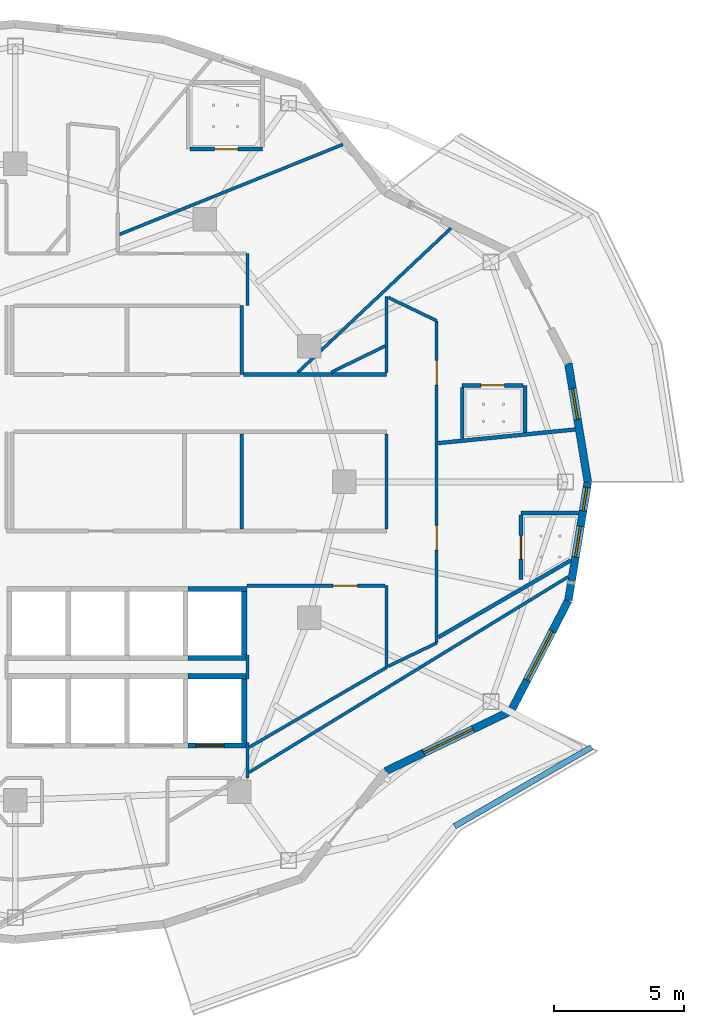
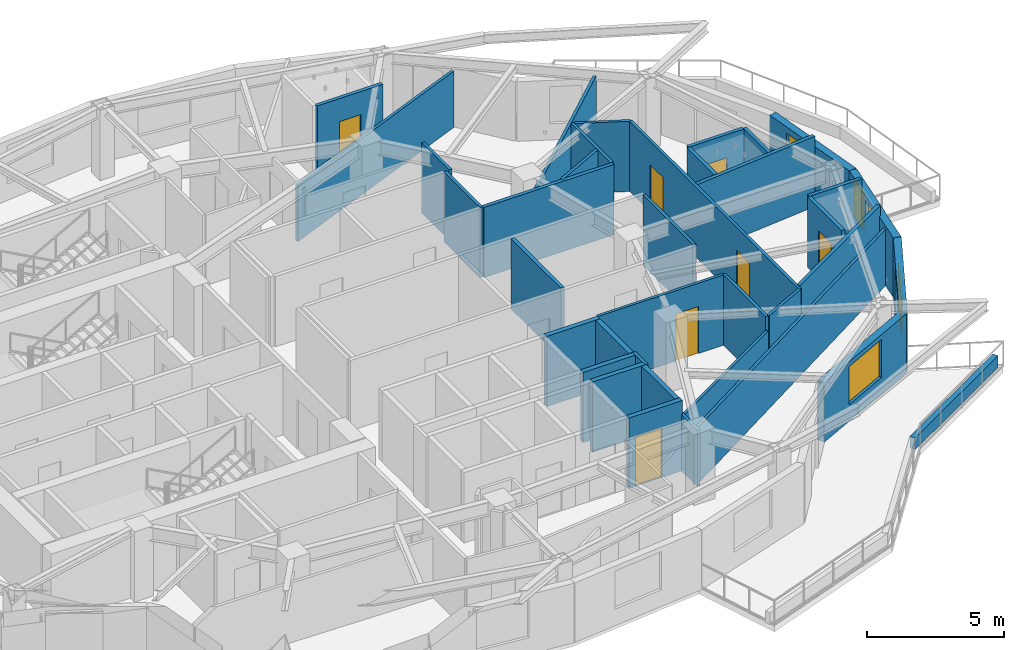
# One storey, part 6 of 10: 37 walls, 7 doors, 5 windows, 12 openings.
"""IFC4 building model written with IfcOpenShell, lengths in metres."""

from ifc_helpers import new_model, si_unit, direction, frame, frame_2d, origin, place, context, subcontext, project, spatial, rectangle, extrude, material, layer, layer_set, type_object, element, fill, save


model = new_model("IFC4")

# Units and contexts
model_context = context("Model", 3, precision=1e-05, world=origin(), true_north=direction((0.0, 1.0)))
body_context = subcontext(model_context, "Body", "Model", "MODEL_VIEW")
ifc_project = project(units=[si_unit("LENGTHUNIT", "METRE"), si_unit("AREAUNIT", "SQUARE_METRE"), si_unit("VOLUMEUNIT", "CUBIC_METRE"), si_unit("PLANEANGLEUNIT", "RADIAN"), si_unit("MASSUNIT", "GRAM", prefix="KILO")], contexts=[model_context])

# Site, building, storey
site_placement = place(None, origin())
site = spatial("IfcSite", under=ifc_project, at=site_placement, CompositionType="ELEMENT")
building_placement = place(site_placement, origin())
building = spatial("IfcBuilding", under=site, at=building_placement, Name="Kolvaren Gate Tower and Convention Centre", CompositionType="ELEMENT")
storey_placement = place(building_placement, frame((0.0, 0.0, 146.10009765625)))
storey = spatial("IfcBuildingStorey", under=building, at=storey_placement, Name="L37", CompositionType="ELEMENT", Elevation=146.10009765625)

# Walls
ifc_material_1 = material(Name="Fire-Rated Acoustic Gypsum Stud Partition", Category="gypsum")
ifc_layer_1 = layer(ifc_material_1, 0.1201171875)
ifc_layer_set_1 = layer_set([ifc_layer_1], Name="Fire-Rated Acoustic Gypsum Stud Partition")
wall_type_1 = type_object("IfcWallType", Name="ARCH-WL-PART-120", PredefinedType="PARTITIONING", material=ifc_layer_set_1)
wall_1_placement = place(storey_placement, frame((38.800048828125, 31.1201171875, 0.0), z_axis=(0.0, 0.0, 1.0), x_axis=(0.0, 1.0, 0.0)))
element("IfcWall", 1, at=wall_1_placement, inside=storey, type_object=wall_type_1, Name="Interior Partition WL-L37-INT-018", PredefinedType="PARTITIONING", context=body_context, shape_type="SweptSolid", body=[
    extrude(rectangle(XDim=2.6298828125, YDim=0.1201171875, at=frame_2d((1.31494140625, 0.0))), origin(), (0.0, 0.0, 1.0), 3.1298828125),
])
wall_2_placement = place(storey_placement, frame((39.02001953125, 15.64990234375, 0.0), z_axis=(0.0, 0.0, 1.0), x_axis=(0.0, 1.0, 0.0)))
element("IfcWall", 2, at=wall_2_placement, inside=storey, type_object=wall_type_1, Name="Interior Partition WL-L37-INT-022", PredefinedType="PARTITIONING", context=body_context, shape_type="SweptSolid", body=[
    extrude(rectangle(XDim=1.360107421875, YDim=0.1201171875, at=frame_2d((0.68017578125, 0.0))), origin(), (0.0, 0.0, 1.0), 2.5048828125),
])
wall_3_placement = place(storey_placement, frame((39.02001953125, 19.43994140625, 0.0), z_axis=(0.0, 0.0, 1.0), x_axis=(0.0, 1.0, 0.0)))
element("IfcWall", 3, at=wall_3_placement, inside=storey, type_object=wall_type_1, Name="Interior Partition WL-L37-INT-022 (2)", PredefinedType="PARTITIONING", context=body_context, shape_type="SweptSolid", body=[
    extrude(rectangle(XDim=0.920166015625, YDim=0.1201171875, at=frame_2d((0.4599609375, 0.0))), origin(), (0.0, 0.0, 1.0), 3.1298828125),
])
wall_4_placement = place(storey_placement, frame((39.02001953125, 33.75, 0.0), z_axis=(0.0, 0.0, 1.0), x_axis=(0.0, 1.0, 0.0)))
element("IfcWall", 4, at=wall_4_placement, inside=storey, type_object=wall_type_1, Name="Interior Partition WL-L37-INT-023", PredefinedType="PARTITIONING", context=body_context, shape_type="SweptSolid", body=[
    extrude(rectangle(XDim=2.0, YDim=0.1201171875, at=frame_2d((1.0, 0.0))), origin(), (0.0, 0.0, 1.0), 3.1298828125),
])
wall_5_placement = place(storey_placement, frame((44.35009765625, 19.89111328125, 0.0), z_axis=(0.0, 0.0, 1.0), x_axis=(0.0, 1.0, 0.0)))
element("IfcWall", 5, at=wall_5_placement, inside=storey, type_object=wall_type_1, Name="Interior Partition WL-L37-INT-040", PredefinedType="PARTITIONING", context=body_context, shape_type="SweptSolid", body=[
    extrude(rectangle(XDim=3.12890625, YDim=0.1201171875, at=frame_2d((1.564453125, 0.0))), origin(), (0.0, 0.0, 1.0), 3.1298828125),
])
wall_6_placement = place(storey_placement, frame((44.35009765625, 25.197021484375, 0.0), z_axis=(0.0, 0.0, 1.0), x_axis=(0.0, 1.0, 0.0)))
element("IfcWall", 6, at=wall_6_placement, inside=storey, type_object=wall_type_1, Name="Interior Partition WL-L37-INT-041", PredefinedType="PARTITIONING", context=body_context, shape_type="SweptSolid", body=[
    extrude(rectangle(XDim=3.64599609375, YDim=0.1201171875, at=frame_2d((1.822998046875, 0.0))), origin(), (0.0, 0.0, 1.0), 3.1298828125),
])
wall_7_placement = place(storey_placement, frame((44.35009765625, 31.197021484375, 0.0), z_axis=(0.0, 0.0, 1.0), x_axis=(0.0, 1.0, 0.0)))
element("IfcWall", 7, at=wall_7_placement, inside=storey, type_object=wall_type_1, Name="Interior Partition WL-L37-INT-042", PredefinedType="PARTITIONING", context=body_context, shape_type="SweptSolid", body=[
    extrude(rectangle(XDim=2.89990234375, YDim=0.1201171875, at=frame_2d((1.449951171875, 0.0))), origin(), (0.0, 0.0, 1.0), 3.1298828125),
])
wall_8_placement = place(storey_placement, frame((44.412109375, 34.067138671875, 0.0), z_axis=(0.0, 0.0, 1.0), x_axis=(0.90128266231, -0.433231534656, 0.0)))
element("IfcWall", 8, at=wall_8_placement, inside=storey, type_object=wall_type_1, Name="Interior Partition WL-L37-INT-043", PredefinedType="PARTITIONING", context=body_context, shape_type="SweptSolid", body=[
    extrude(rectangle(XDim=2.0615234375, YDim=0.1201171875, at=frame_2d((1.03076171875, 0.0))), origin(), (0.0, 0.0, 1.0), 3.1298828125),
])

# Wall, openings, doors
wall_9_placement = place(storey_placement, frame((46.27001953125, 20.825927734375, 0.0), z_axis=(0.0, 0.0, 1.0), x_axis=(0.0, 1.0, 0.0)))
wall_9 = element("IfcWall", 9, at=wall_9_placement, inside=storey, type_object=wall_type_1, Name="Interior Partition WL-L37-INT-044", PredefinedType="PARTITIONING", context=body_context, shape_type="SweptSolid", body=[
    extrude(rectangle(XDim=12.34814453125, YDim=0.1201171875, at=frame_2d((6.174072265625, 0.0))), origin(), (0.0, 0.0, 1.0), 3.1298828125),
])
opening_1_placement = place(wall_9_placement, frame((3.5556640625, 0.0, 0.0)))
opening_1 = element("IfcOpeningElement", 10, at=opening_1_placement, cuts=wall_9, Name="Opening DR-01", PredefinedType="OPENING", context=body_context, shape_type="SweptSolid", body=[
    extrude(rectangle(XDim=0.949951171875, YDim=2.10009765625, at=frame_2d((0.47509765625, 1.050048828125))), frame((0.0, 0.070068359375, 0.0), z_axis=(0.0, -1.0, 0.0), x_axis=(1.0, 0.0, 0.0)), (0.0, 0.0, 1.0), 0.14013671875),
])
opening_2_placement = place(wall_9_placement, frame((9.87841796875, 0.0, 0.0)))
opening_2 = element("IfcOpeningElement", 11, at=opening_2_placement, cuts=wall_9, Name="Opening DR-01", PredefinedType="OPENING", context=body_context, shape_type="SweptSolid", body=[
    extrude(rectangle(XDim=0.949951171875, YDim=2.10009765625, at=frame_2d((0.47509765625, 1.050048828125))), frame((0.0, 0.070068359375, 0.0), z_axis=(0.0, -1.0, 0.0), x_axis=(1.0, 0.0, 0.0)), (0.0, 0.0, 1.0), 0.14013671875),
])
ifc_material_2 = material(Name="Painted Architectural Steelwork ASTM A500 Grade C 345 MPa", Category="steel")
door_type_1 = type_object("IfcDoorType", Name="ARCH-DR-RISER-950", OperationType="SINGLE_SWING_RIGHT", PredefinedType="DOOR", material=ifc_material_2)
door_1_placement = place(opening_1_placement, origin())
door_1 = element("IfcDoor", 12, at=door_1_placement, inside=storey, type_object=door_type_1, Name="Deluxe Hotel Suite (HTL-L37-05) Door", OperationType="SINGLE_SWING_LEFT", OverallHeight=2.10009765625, OverallWidth=0.949951171875, PredefinedType="DOOR", context=body_context, shape_type="SweptSolid", body=[
    extrude(rectangle(XDim=0.949951171875, YDim=2.10009765625, at=frame_2d((0.47509765625, 1.050048828125))), frame((0.0, 0.02490234375, 0.0), z_axis=(0.0, -1.0, 0.0), x_axis=(1.0, 0.0, 0.0)), (0.0, 0.0, 1.0), 0.050048828125),
])
fill(opening_1, door_1)
door_2_placement = place(opening_2_placement, origin())
door_2 = element("IfcDoor", 13, at=door_2_placement, inside=storey, type_object=door_type_1, Name="Deluxe Hotel Suite (HTL-L37-07) Door", OperationType="SINGLE_SWING_LEFT", OverallHeight=2.10009765625, OverallWidth=0.949951171875, PredefinedType="DOOR", context=body_context, shape_type="SweptSolid", body=[
    extrude(rectangle(XDim=0.949951171875, YDim=2.10009765625, at=frame_2d((0.47509765625, 1.050048828125))), frame((0.0, 0.02490234375, 0.0), z_axis=(0.0, -1.0, 0.0), x_axis=(1.0, 0.0, 0.0)), (0.0, 0.0, 1.0), 0.050048828125),
])
fill(opening_2, door_2)

# Wall
wall_10_placement = place(storey_placement, frame((44.412109375, 19.932861328125, 0.0), z_axis=(0.0, 0.0, 1.0), x_axis=(0.90128266231, 0.433231534656, 0.0)))
element("IfcWall", 14, at=wall_10_placement, inside=storey, type_object=wall_type_1, Name="Interior Partition WL-L37-INT-045", PredefinedType="PARTITIONING", context=body_context, shape_type="SweptSolid", body=[
    extrude(rectangle(XDim=2.0615234375, YDim=0.1201171875, at=frame_2d((1.03076171875, 0.0))), origin(), (0.0, 0.0, 1.0), 3.1298828125),
])

# Wall, opening, door
wall_11_placement = place(storey_placement, frame((39.0, 23.02001953125, 0.0), z_axis=(0.0, 0.0, 1.0), x_axis=(1.0, 0.0, 0.0)))
wall_11 = element("IfcWall", 15, at=wall_11_placement, inside=storey, type_object=wall_type_1, Name="Interior Partition WL-L37-INT-046", PredefinedType="PARTITIONING", context=body_context, shape_type="SweptSolid", body=[
    extrude(rectangle(XDim=5.2880859375, YDim=0.1201171875, at=frame_2d((2.64404296875, 0.0))), origin(), (0.0, 0.0, 1.0), 3.1298828125),
])
opening_3_placement = place(wall_11_placement, frame((3.2890625, 0.0, 0.0)))
opening_3 = element("IfcOpeningElement", 16, at=opening_3_placement, cuts=wall_11, Name="Opening DR-01", PredefinedType="OPENING", context=body_context, shape_type="SweptSolid", body=[
    extrude(rectangle(XDim=0.949951171875, YDim=2.10009765625, at=frame_2d((0.47509765625, 1.050048828125))), frame((0.0, 0.070068359375, 0.0), z_axis=(0.0, -1.0, 0.0), x_axis=(1.0, 0.0, 0.0)), (0.0, 0.0, 1.0), 0.14013671875),
])
door_3_placement = place(opening_3_placement, origin())
door_3 = element("IfcDoor", 17, at=door_3_placement, inside=storey, type_object=door_type_1, Name="Banquet Tasting Pantry Door", OperationType="SINGLE_SWING_RIGHT", OverallHeight=2.10009765625, OverallWidth=0.949951171875, PredefinedType="DOOR", context=body_context, shape_type="SweptSolid", body=[
    extrude(rectangle(XDim=0.949951171875, YDim=2.10009765625, at=frame_2d((0.47509765625, 1.050048828125))), frame((0.0, 0.02490234375, 0.0), z_axis=(0.0, -1.0, 0.0), x_axis=(1.0, 0.0, 0.0)), (0.0, 0.0, 1.0), 0.050048828125),
])
fill(opening_3, door_3)

# Walls
wall_12_placement = place(storey_placement, frame((39.08203125, 15.86962890625, 0.0), z_axis=(0.0, 0.0, 1.0), x_axis=(0.852607858044, 0.522551280165, 0.0)))
element("IfcWall", 18, at=wall_12_placement, inside=storey, type_object=wall_type_1, Name="Interior Partition WL-L37-INT-056", PredefinedType="PARTITIONING", context=body_context, shape_type="SweptSolid", body=[
    extrude(rectangle(XDim=14.341796875, YDim=0.1201171875, at=frame_2d((7.1708984375, 0.0))), origin(), (0.0, 0.0, 1.0), 2.5048828125),
])
wall_13_placement = place(storey_placement, frame((39.08203125, 16.8291015625, 0.0), z_axis=(0.0, 0.0, 1.0), x_axis=(0.864565483681, 0.502520173155, 0.0)))
element("IfcWall", 19, at=wall_13_placement, inside=storey, type_object=wall_type_1, Name="Interior Partition WL-L37-INT-057", PredefinedType="PARTITIONING", context=body_context, shape_type="SweptSolid", body=[
    extrude(rectangle(XDim=6.09326171875, YDim=0.1201171875, at=frame_2d((3.046630859375, 0.0))), origin(), (0.0, 0.0, 1.0), 2.5048828125),
])
wall_14_placement = place(storey_placement, frame((42.224853515625, 31.197021484375, 0.0), z_axis=(0.0, 0.0, 1.0), x_axis=(0.898870643835, 0.438214063732, 0.0)))
element("IfcWall", 20, at=wall_14_placement, inside=storey, type_object=wall_type_1, Name="Interior Partition WL-L37-INT-064", PredefinedType="PARTITIONING", context=body_context, shape_type="SweptSolid", body=[
    extrude(rectangle(XDim=2.29541015625, YDim=0.1201171875, at=frame_2d((1.147705078125, 0.0))), origin(), (0.0, 0.0, 1.0), 3.1298828125),
])
wall_15_placement = place(storey_placement, frame((40.94873046875, 31.197021484375, 0.0), z_axis=(0.0, 0.0, 1.0), x_axis=(0.728258728927, 0.685302286397, 0.0)))
element("IfcWall", 21, at=wall_15_placement, inside=storey, type_object=wall_type_1, Name="Interior Partition WL-L37-INT-065", PredefinedType="PARTITIONING", context=body_context, shape_type="SweptSolid", body=[
    extrude(rectangle(XDim=8.053466796875, YDim=0.1201171875, at=frame_2d((4.02685546875, 0.0))), origin(), (0.0, 0.0, 1.0), 2.81201171875),
])
wall_16_placement = place(storey_placement, frame((34.112060546875, 36.48193359375, 0.0), z_axis=(0.0, 0.0, 1.0), x_axis=(0.92763911586, 0.373477804863, 0.0)))
element("IfcWall", 22, at=wall_16_placement, inside=storey, type_object=wall_type_1, Name="Interior Partition WL-L37-INT-067", PredefinedType="PARTITIONING", context=body_context, shape_type="SweptSolid", body=[
    extrude(rectangle(XDim=9.23291015625, YDim=0.1201171875, at=frame_2d((4.616455078125, 0.0))), origin(), (0.0, 0.0, 1.0), 2.5048828125),
])
ifc_material_3 = material(Name="Piedmont Cream Honed Limestone Cladding", Category="masonry")
ifc_layer_2 = layer(ifc_material_3, 0.219970703125)
ifc_layer_set_2 = layer_set([ifc_layer_2], Name="Piedmont Cream Honed Limestone Cladding")
wall_type_2 = type_object("IfcWallType", Name="ARCH-WL-PLANTER-220", PredefinedType="PARAPET", material=ifc_layer_set_2)
wall_17_placement = place(storey_placement, frame((46.95751953125, 13.8046875, 0.0), z_axis=(0.0, 0.0, 1.0), x_axis=(0.866058128659, 0.499943314571, 0.0)))
element("IfcWall", 23, at=wall_17_placement, inside=storey, type_object=wall_type_2, Name="Vertical-Forest Balcony Stone Planter Kerb PK-L37-4.3", PredefinedType="PARAPET", context=body_context, shape_type="SweptSolid", body=[
    extrude(rectangle(XDim=6.060302734375, YDim=0.219970703125, at=frame_2d((3.0302734375, 0.0))), origin(), (0.0, 0.0, 1.0), 0.52001953125),
])
ifc_material_4 = material(Name="Autoclaved Aerated Masonry Blockwork Class 4 (4.0 MPa)", Category="masonry")
ifc_layer_3 = layer(ifc_material_4, 0.199951171875)
ifc_layer_set_3 = layer_set([ifc_layer_3], Name="Autoclaved Aerated Masonry Blockwork Class 4 (4.0 MPa)")
wall_type_3 = type_object("IfcWallType", Name="ARCH-WL-SHAFT-200", PredefinedType="SOLIDWALL", material=ifc_layer_set_3)
wall_18_placement = place(storey_placement, frame((36.75, 19.550048828125, 0.0), z_axis=(0.0, 0.0, 1.0), x_axis=(1.0, 0.0, 0.0)))
element("IfcWall", 24, at=wall_18_placement, inside=storey, type_object=wall_type_3, Name="Elevator PL-08 L37 Fire Shaft Wall N", PredefinedType="SOLIDWALL", context=body_context, shape_type="SweptSolid", body=[
    extrude(rectangle(XDim=2.25, YDim=0.199951171875, at=frame_2d((1.125, 0.0))), origin(), (0.0, 0.0, 1.0), 3.1298828125),
])

# Wall, opening, door
wall_19_placement = place(storey_placement, frame((36.75, 16.89990234375, 0.0), z_axis=(0.0, 0.0, 1.0), x_axis=(1.0, 0.0, 0.0)))
wall_19 = element("IfcWall", 25, at=wall_19_placement, inside=storey, type_object=wall_type_3, Name="Elevator PL-08 L37 Fire Shaft Wall S", PredefinedType="SOLIDWALL", context=body_context, shape_type="SweptSolid", body=[
    extrude(rectangle(XDim=2.25, YDim=0.199951171875, at=frame_2d((1.125, 0.0))), origin(), (0.0, 0.0, 1.0), 3.1298828125),
])
opening_4_placement = place(wall_19_placement, frame((0.280029296875, 0.0, 0.0)))
opening_4 = element("IfcOpeningElement", 26, at=opening_4_placement, cuts=wall_19, Name="Opening LD", PredefinedType="OPENING", context=body_context, shape_type="SweptSolid", body=[
    extrude(rectangle(XDim=1.10009765625, YDim=2.199951171875, at=frame_2d((0.550048828125, 1.10009765625))), frame((0.0, 0.10986328125, 0.0), z_axis=(0.0, -1.0, 0.0), x_axis=(1.0, 0.0, 0.0)), (0.0, 0.0, 1.0), 0.219970703125),
])
ifc_material_5 = material(Name="Brushed Stainless Steel Grade 316L", Category="steel")
door_type_2 = type_object("IfcDoorType", Name="ARCH-DR-LIFT-1100", OperationType="SLIDING_TO_LEFT", PredefinedType="DOOR", material=ifc_material_5)
door_4_placement = place(opening_4_placement, origin())
door_4 = element("IfcDoor", 27, at=door_4_placement, inside=storey, type_object=door_type_2, Name="Elevator PL-08 L37 Sliding Landing Door", OperationType="SLIDING_TO_LEFT", OverallHeight=2.199951171875, OverallWidth=1.10009765625, PredefinedType="DOOR", context=body_context, shape_type="SweptSolid", body=[
    extrude(rectangle(XDim=1.10009765625, YDim=2.199951171875, at=frame_2d((0.550048828125, 1.10009765625))), frame((0.0, 0.02490234375, 0.0), z_axis=(0.0, -1.0, 0.0), x_axis=(1.0, 0.0, 0.0)), (0.0, 0.0, 1.0), 0.050048828125),
])
fill(opening_4, door_4)

# Walls
wall_20_placement = place(storey_placement, frame((38.89990234375, 17.010009765625, 0.0), z_axis=(0.0, 0.0, 1.0), x_axis=(0.0, 1.0, 0.0)))
element("IfcWall", 28, at=wall_20_placement, inside=storey, type_object=wall_type_3, Name="Elevator PL-08 L37 Fire Shaft Wall E", PredefinedType="SOLIDWALL", context=body_context, shape_type="SweptSolid", body=[
    extrude(rectangle(XDim=2.429931640625, YDim=0.199951171875, at=frame_2d((1.21484375, 0.0))), origin(), (0.0, 0.0, 1.0), 3.1298828125),
])
for number, where, z_axis, x_axis, name in (
    (29, (36.75, 22.89990234375, 0.0), (0.0, 0.0, 1.0), (1.0, 0.0, 0.0), "Elevator PL-12 L37 Fire Shaft Wall N"),
    (30, (36.75, 20.25, 0.0), (0.0, 0.0, 1.0), (1.0, 0.0, 0.0), "Elevator PL-12 L37 Fire Shaft Wall S"),
):
    element("IfcWall", number, at=place(storey_placement, frame(where, z_axis=z_axis, x_axis=x_axis)), inside=storey, type_object=wall_type_3, Name=name, PredefinedType="SOLIDWALL", context=body_context, shape_type="SweptSolid", body=[
        extrude(rectangle(XDim=2.25, YDim=0.199951171875, at=frame_2d((1.125, 0.0))), origin(), (0.0, 0.0, 1.0), 3.1298828125),
    ])
wall_21_placement = place(storey_placement, frame((38.89990234375, 20.360107421875, 0.0), z_axis=(0.0, 0.0, 1.0), x_axis=(0.0, 1.0, 0.0)))
element("IfcWall", 31, at=wall_21_placement, inside=storey, type_object=wall_type_3, Name="Elevator PL-12 L37 Fire Shaft Wall E", PredefinedType="SOLIDWALL", context=body_context, shape_type="SweptSolid", body=[
    extrude(rectangle(XDim=2.429931640625, YDim=0.199951171875, at=frame_2d((1.21484375, 0.0))), origin(), (0.0, 0.0, 1.0), 3.1298828125),
])

# Wall, opening, window
ifc_layer_4 = layer(ifc_material_3, 0.300048828125)
ifc_layer_set_4 = layer_set([ifc_layer_4], Name="Piedmont Cream Honed Limestone Cladding")
wall_type_4 = type_object("IfcWallType", Name="ARCH-WL-STONE-300", PredefinedType="SOLIDWALL", material=ifc_layer_set_4)
wall_22_placement = place(storey_placement, frame((51.31494140625, 31.542236328125, 0.0), z_axis=(0.0, 0.0, 1.0), x_axis=(0.162394765401, -0.986725868806, 0.0)))
wall_22 = element("IfcWall", 32, at=wall_22_placement, inside=storey, type_object=wall_type_4, Name="Tower L37 Honed Stone Spandrel Wall EW-00", PredefinedType="SOLIDWALL", context=body_context, shape_type="SweptSolid", body=[
    extrude(rectangle(XDim=4.603271484375, YDim=0.300048828125, at=frame_2d((2.3017578125, 0.0))), origin(), (0.0, 0.0, 1.0), 2.65283203125),
])
opening_5_placement = place(wall_22_placement, frame((0.97998046875, 0.0, 0.719970703125)))
opening_5 = element("IfcOpeningElement", 33, at=opening_5_placement, cuts=wall_22, Name="Opening W-04", PredefinedType="OPENING", context=body_context, shape_type="SweptSolid", body=[
    extrude(rectangle(XDim=1.199951171875, YDim=1.64990234375, at=frame_2d((0.60009765625, 0.824951171875))), frame((0.0, 0.159912109375, 0.0), z_axis=(0.0, -1.0, 0.0), x_axis=(1.0, 0.0, 0.0)), (0.0, 0.0, 1.0), 0.320068359375),
])
ifc_material_6 = material(Name="Low-E Triple Insulated Glazing Unit 44 mm", Category="glass")
window_type_1 = type_object("IfcWindowType", Name="ARCH-WN-NARROW-1200", PartitioningType="SINGLE_PANEL", PredefinedType="WINDOW", material=ifc_material_6)
window_1_placement = place(opening_5_placement, origin())
window_1 = element("IfcWindow", 34, at=window_1_placement, inside=storey, type_object=window_type_1, Name="Tower L37 Punched Stone Facade Window W-00", OverallHeight=1.64990234375, OverallWidth=1.199951171875, PartitioningType="SINGLE_PANEL", PredefinedType="WINDOW", context=body_context, shape_type="SweptSolid", body=[
    extrude(rectangle(XDim=1.199951171875, YDim=1.64990234375, at=frame_2d((0.60009765625, 0.824951171875))), frame((0.0, 0.030029296875, 0.0), z_axis=(0.0, -1.0, 0.0), x_axis=(1.0, 0.0, 0.0)), (0.0, 0.0, 1.0), 0.06005859375),
])
fill(opening_5, window_1)

wall_23_placement = place(storey_placement, frame((44.3134765625, 15.9140625, 0.0), z_axis=(0.0, 0.0, 1.0), x_axis=(0.901353070301, 0.433085029363, 0.0)))
wall_23 = element("IfcWall", 35, at=wall_23_placement, inside=storey, type_object=wall_type_4, Name="Tower L37 Honed Stone Spandrel Wall EW-21", PredefinedType="SOLIDWALL", context=body_context, shape_type="SweptSolid", body=[
    extrude(rectangle(XDim=5.336181640625, YDim=0.300048828125, at=frame_2d((2.66796875, 0.0))), origin(), (0.0, 0.0, 1.0), 2.65283203125),
])
opening_6_placement = place(wall_23_placement, frame((1.617919921875, 0.0, 0.739990234375)))
opening_6 = element("IfcOpeningElement", 36, at=opening_6_placement, cuts=wall_23, Name="Opening W-02", PredefinedType="OPENING", context=body_context, shape_type="SweptSolid", body=[
    extrude(rectangle(XDim=2.10009765625, YDim=1.699951171875, at=frame_2d((1.050048828125, 0.85009765625))), frame((0.0, 0.159912109375, 0.0), z_axis=(0.0, -1.0, 0.0), x_axis=(1.0, 0.0, 0.0)), (0.0, 0.0, 1.0), 0.320068359375),
])
window_type_2 = type_object("IfcWindowType", Name="ARCH-WN-HTL-2100", PartitioningType="SINGLE_PANEL", PredefinedType="WINDOW", material=ifc_material_6)
window_2_placement = place(opening_6_placement, origin())
window_2 = element("IfcWindow", 37, at=window_2_placement, inside=storey, type_object=window_type_2, Name="Tower L37 Punched Stone Facade Window W-21", OverallHeight=1.699951171875, OverallWidth=2.10009765625, PartitioningType="SINGLE_PANEL", PredefinedType="WINDOW", context=body_context, shape_type="SweptSolid", body=[
    extrude(rectangle(XDim=2.10009765625, YDim=1.699951171875, at=frame_2d((1.050048828125, 0.85009765625))), frame((0.0, 0.030029296875, 0.0), z_axis=(0.0, -1.0, 0.0), x_axis=(1.0, 0.0, 0.0)), (0.0, 0.0, 1.0), 0.06005859375),
])
fill(opening_6, window_2)

wall_24_placement = place(storey_placement, frame((49.123291015625, 18.22509765625, 0.0), z_axis=(0.0, 0.0, 1.0), x_axis=(0.459810251451, 0.888017191647, 0.0)))
wall_24 = element("IfcWall", 38, at=wall_24_placement, inside=storey, type_object=wall_type_4, Name="Tower L37 Honed Stone Spandrel Wall EW-22", PredefinedType="SOLIDWALL", context=body_context, shape_type="SweptSolid", body=[
    extrude(rectangle(XDim=4.766357421875, YDim=0.300048828125, at=frame_2d((2.38330078125, 0.0))), origin(), (0.0, 0.0, 1.0), 2.65283203125),
])
opening_7_placement = place(wall_24_placement, frame((1.3330078125, 0.0, 0.739990234375)))
opening_7 = element("IfcOpeningElement", 39, at=opening_7_placement, cuts=wall_24, Name="Opening W-02", PredefinedType="OPENING", context=body_context, shape_type="SweptSolid", body=[
    extrude(rectangle(XDim=2.10009765625, YDim=1.699951171875, at=frame_2d((1.050048828125, 0.85009765625))), frame((0.0, 0.159912109375, 0.0), z_axis=(0.0, -1.0, 0.0), x_axis=(1.0, 0.0, 0.0)), (0.0, 0.0, 1.0), 0.320068359375),
])
window_3_placement = place(opening_7_placement, origin())
window_3 = element("IfcWindow", 40, at=window_3_placement, inside=storey, type_object=window_type_2, Name="Tower L37 Punched Stone Facade Window W-22", OverallHeight=1.699951171875, OverallWidth=2.10009765625, PartitioningType="SINGLE_PANEL", PredefinedType="WINDOW", context=body_context, shape_type="SweptSolid", body=[
    extrude(rectangle(XDim=2.10009765625, YDim=1.699951171875, at=frame_2d((1.050048828125, 0.85009765625))), frame((0.0, 0.030029296875, 0.0), z_axis=(0.0, -1.0, 0.0), x_axis=(1.0, 0.0, 0.0)), (0.0, 0.0, 1.0), 0.06005859375),
])
fill(opening_7, window_3)

# Wall, openings, windows
wall_25_placement = place(storey_placement, frame((51.31494140625, 22.457763671875, 0.0), z_axis=(0.0, 0.0, 1.0), x_axis=(0.162394765401, 0.986725868806, 0.0)))
wall_25 = element("IfcWall", 41, at=wall_25_placement, inside=storey, type_object=wall_type_4, Name="Tower L37 Honed Stone Spandrel Wall EW-23", PredefinedType="SOLIDWALL", context=body_context, shape_type="SweptSolid", body=[
    extrude(rectangle(XDim=4.603271484375, YDim=0.300048828125, at=frame_2d((2.3017578125, 0.0))), origin(), (0.0, 0.0, 1.0), 2.65283203125),
])
opening_8_placement = place(wall_25_placement, frame((1.679931640625, 0.0, 0.739990234375)))
opening_8 = element("IfcOpeningElement", 42, at=opening_8_placement, cuts=wall_25, Name="Opening W-04", PredefinedType="OPENING", context=body_context, shape_type="SweptSolid", body=[
    extrude(rectangle(XDim=1.199951171875, YDim=1.699951171875, at=frame_2d((0.60009765625, 0.85009765625))), frame((0.0, 0.159912109375, 0.0), z_axis=(0.0, -1.0, 0.0), x_axis=(1.0, 0.0, 0.0)), (0.0, 0.0, 1.0), 0.320068359375),
])
opening_9_placement = place(wall_25_placement, frame((3.47998046875, 0.0, 0.719970703125)))
opening_9 = element("IfcOpeningElement", 43, at=opening_9_placement, cuts=wall_25, Name="Opening W-06", PredefinedType="OPENING", context=body_context, shape_type="SweptSolid", body=[
    extrude(rectangle(XDim=0.89990234375, YDim=1.64990234375, at=frame_2d((0.449951171875, 0.824951171875))), frame((0.0, 0.159912109375, 0.0), z_axis=(0.0, -1.0, 0.0), x_axis=(1.0, 0.0, 0.0)), (0.0, 0.0, 1.0), 0.320068359375),
])
window_4_placement = place(opening_8_placement, origin())
window_4 = element("IfcWindow", 44, at=window_4_placement, inside=storey, type_object=window_type_1, Name="Tower L37 Punched Stone Facade Window W-23", OverallHeight=1.699951171875, OverallWidth=1.199951171875, PartitioningType="SINGLE_PANEL", PredefinedType="WINDOW", context=body_context, shape_type="SweptSolid", body=[
    extrude(rectangle(XDim=1.199951171875, YDim=1.699951171875, at=frame_2d((0.60009765625, 0.85009765625))), frame((0.0, 0.030029296875, 0.0), z_axis=(0.0, -1.0, 0.0), x_axis=(1.0, 0.0, 0.0)), (0.0, 0.0, 1.0), 0.06005859375),
])
fill(opening_8, window_4)
window_type_3 = type_object("IfcWindowType", Name="ARCH-WN-PUNCH-900", PartitioningType="SINGLE_PANEL", PredefinedType="WINDOW", material=ifc_material_6)
window_5_placement = place(opening_9_placement, origin())
window_5 = element("IfcWindow", 45, at=window_5_placement, inside=storey, type_object=window_type_3, Name="Tower L37 Dwelling Daylight Window DW-01", OverallHeight=1.64990234375, OverallWidth=0.89990234375, PartitioningType="SINGLE_PANEL", PredefinedType="WINDOW", context=body_context, shape_type="SweptSolid", body=[
    extrude(rectangle(XDim=0.89990234375, YDim=1.64990234375, at=frame_2d((0.449951171875, 0.824951171875))), frame((0.0, 0.030029296875, 0.0), z_axis=(0.0, -1.0, 0.0), x_axis=(1.0, 0.0, 0.0)), (0.0, 0.0, 1.0), 0.06005859375),
])
fill(opening_9, window_5)

# Walls
ifc_material_7 = material(Name="Moisture-Resistant Cement-Board Acoustic Partition", Category="gypsum")
ifc_layer_5 = layer(ifc_material_7, 0.14990234375)
ifc_layer_set_5 = layer_set([ifc_layer_5], Name="Moisture-Resistant Cement-Board Acoustic Partition")
wall_type_5 = type_object("IfcWallType", Name="ARCH-WL-WET-150", PredefinedType="PARTITIONING", material=ifc_layer_set_5)
wall_26_placement = place(storey_placement, frame((38.800048828125, 25.197021484375, 0.0), z_axis=(0.0, 0.0, 1.0), x_axis=(0.0, 1.0, 0.0)))
element("IfcWall", 46, at=wall_26_placement, inside=storey, type_object=wall_type_5, Name="Interior Partition WL-L37-INT-017", PredefinedType="PARTITIONING", context=body_context, shape_type="SweptSolid", body=[
    extrude(rectangle(XDim=3.64599609375, YDim=0.14990234375, at=frame_2d((1.822998046875, 0.0))), origin(), (0.0, 0.0, 1.0), 3.1298828125),
])
wall_27_placement = place(storey_placement, frame((38.862060546875, 31.1201171875, 0.0), z_axis=(0.0, 0.0, 1.0), x_axis=(1.0, 0.0, 0.0)))
element("IfcWall", 47, at=wall_27_placement, inside=storey, type_object=wall_type_5, Name="Interior Partition WL-L37-INT-019 (2)", PredefinedType="PARTITIONING", context=body_context, shape_type="SweptSolid", body=[
    extrude(rectangle(XDim=5.488037109375, YDim=0.14990234375, at=frame_2d((2.744140625, 0.0))), origin(), (0.0, 0.0, 1.0), 3.1298828125),
])
wall_28_placement = place(storey_placement, frame((46.33203125, 28.485107421875, 0.0), z_axis=(0.0, 0.0, 1.0), x_axis=(0.995067863433, 0.099196507817, 0.0)))
element("IfcWall", 48, at=wall_28_placement, inside=storey, type_object=wall_type_5, Name="Interior Partition WL-L37-INT-052", PredefinedType="PARTITIONING", context=body_context, shape_type="SweptSolid", body=[
    extrude(rectangle(XDim=5.27197265625, YDim=0.14990234375, at=frame_2d((2.635986328125, 0.0))), origin(), (0.0, 0.0, 1.0), 3.1298828125),
])
wall_29_placement = place(storey_placement, frame((46.33203125, 21.04296875, 0.0), z_axis=(0.0, 0.0, 1.0), x_axis=(0.864559641837, 0.502530223674, 0.0)))
element("IfcWall", 49, at=wall_29_placement, inside=storey, type_object=wall_type_5, Name="Interior Partition WL-L37-INT-058", PredefinedType="PARTITIONING", context=body_context, shape_type="SweptSolid", body=[
    extrude(rectangle(XDim=5.87841796875, YDim=0.14990234375, at=frame_2d((2.939208984375, 0.0))), origin(), (0.0, 0.0, 1.0), 3.1298828125),
])
wall_30_placement = place(storey_placement, frame((49.5, 25.800048828125, 0.0), z_axis=(0.0, 0.0, 1.0), x_axis=(1.0, 0.0, 0.0)))
element("IfcWall", 50, at=wall_30_placement, inside=storey, type_object=wall_type_5, Name="Interior Partition WL-L37-INT-059", PredefinedType="PARTITIONING", context=body_context, shape_type="SweptSolid", body=[
    extrude(rectangle(XDim=2.2109375, YDim=0.14990234375, at=frame_2d((1.10546875, 0.0))), origin(), (0.0, 0.0, 1.0), 3.1298828125),
])

# Wall, opening, door
wall_31_placement = place(storey_placement, frame((49.5, 23.25, 0.0), z_axis=(0.0, 0.0, 1.0), x_axis=(0.0, 1.0, 0.0)))
wall_31 = element("IfcWall", 51, at=wall_31_placement, inside=storey, type_object=wall_type_5, Name="Interior Partition WL-L37-INT-060", PredefinedType="PARTITIONING", context=body_context, shape_type="SweptSolid", body=[
    extrude(rectangle(XDim=2.472900390625, YDim=0.14990234375, at=frame_2d((1.236328125, 0.0))), origin(), (0.0, 0.0, 1.0), 3.1298828125),
])
opening_10_placement = place(wall_31_placement, frame((0.78662109375, 0.0, 0.0)))
opening_10 = element("IfcOpeningElement", 52, at=opening_10_placement, cuts=wall_31, Name="Opening DW-01", PredefinedType="OPENING", context=body_context, shape_type="SweptSolid", body=[
    extrude(rectangle(XDim=0.89990234375, YDim=2.10009765625, at=frame_2d((0.449951171875, 1.050048828125))), frame((0.0, 0.0849609375, 0.0), z_axis=(0.0, -1.0, 0.0), x_axis=(1.0, 0.0, 0.0)), (0.0, 0.0, 1.0), 0.169921875),
])
ifc_material_8 = material(Name="FSC Andean Oak Engineered Veneer Door Leaf", Category="wood")
door_type_3 = type_object("IfcDoorType", Name="ARCH-DR-WC-900", OperationType="SINGLE_SWING_RIGHT", PredefinedType="DOOR", material=ifc_material_8)
door_5_placement = place(opening_10_placement, origin())
door_5 = element("IfcDoor", 53, at=door_5_placement, inside=storey, type_object=door_type_3, Name="En-suite Bathroom (HTL-L37-05) Door", OperationType="SINGLE_SWING_LEFT", OverallHeight=2.10009765625, OverallWidth=0.89990234375, PredefinedType="DOOR", context=body_context, shape_type="SweptSolid", body=[
    extrude(rectangle(XDim=0.89990234375, YDim=2.10009765625, at=frame_2d((0.449951171875, 1.050048828125))), frame((0.0, 0.02490234375, 0.0), z_axis=(0.0, -1.0, 0.0), x_axis=(1.0, 0.0, 0.0)), (0.0, 0.0, 1.0), 0.050048828125),
])
fill(opening_10, door_5)

# Wall
wall_32_placement = place(storey_placement, frame((49.64990234375, 28.893310546875, 0.0), z_axis=(0.0, 0.0, 1.0), x_axis=(0.0, 1.0, 0.0)))
element("IfcWall", 54, at=wall_32_placement, inside=storey, type_object=wall_type_5, Name="Interior Partition WL-L37-INT-061", PredefinedType="PARTITIONING", context=body_context, shape_type="SweptSolid", body=[
    extrude(rectangle(XDim=1.806640625, YDim=0.14990234375, at=frame_2d((0.9033203125, 0.0))), origin(), (0.0, 0.0, 1.0), 3.1298828125),
])

# Wall, opening, door
wall_33_placement = place(storey_placement, frame((47.25, 30.699951171875, 0.0), z_axis=(0.0, 0.0, 1.0), x_axis=(1.0, 0.0, 0.0)))
wall_33 = element("IfcWall", 55, at=wall_33_placement, inside=storey, type_object=wall_type_5, Name="Interior Partition WL-L37-INT-062", PredefinedType="PARTITIONING", context=body_context, shape_type="SweptSolid", body=[
    extrude(rectangle(XDim=2.322998046875, YDim=0.14990234375, at=frame_2d((1.16162109375, 0.0))), origin(), (0.0, 0.0, 1.0), 3.1298828125),
])
opening_11_placement = place(wall_33_placement, frame((0.71142578125, 0.0, 0.0)))
opening_11 = element("IfcOpeningElement", 56, at=opening_11_placement, cuts=wall_33, Name="Opening DW-01", PredefinedType="OPENING", context=body_context, shape_type="SweptSolid", body=[
    extrude(rectangle(XDim=0.89990234375, YDim=2.10009765625, at=frame_2d((0.449951171875, 1.050048828125))), frame((0.0, 0.0849609375, 0.0), z_axis=(0.0, -1.0, 0.0), x_axis=(1.0, 0.0, 0.0)), (0.0, 0.0, 1.0), 0.169921875),
])
door_6_placement = place(opening_11_placement, origin())
door_6 = element("IfcDoor", 57, at=door_6_placement, inside=storey, type_object=door_type_3, Name="En-suite Bathroom (HTL-L37-07) Door", OperationType="SINGLE_SWING_RIGHT", OverallHeight=2.10009765625, OverallWidth=0.89990234375, PredefinedType="DOOR", context=body_context, shape_type="SweptSolid", body=[
    extrude(rectangle(XDim=0.89990234375, YDim=2.10009765625, at=frame_2d((0.449951171875, 1.050048828125))), frame((0.0, 0.02490234375, 0.0), z_axis=(0.0, -1.0, 0.0), x_axis=(1.0, 0.0, 0.0)), (0.0, 0.0, 1.0), 0.050048828125),
])
fill(opening_11, door_6)

# Wall
wall_34_placement = place(storey_placement, frame((47.25, 28.654052734375, 0.0), z_axis=(0.0, 0.0, 1.0), x_axis=(0.0, 1.0, 0.0)))
element("IfcWall", 58, at=wall_34_placement, inside=storey, type_object=wall_type_5, Name="Interior Partition WL-L37-INT-063", PredefinedType="PARTITIONING", context=body_context, shape_type="SweptSolid", body=[
    extrude(rectangle(XDim=1.968994140625, YDim=0.14990234375, at=frame_2d((0.984375, 0.0))), origin(), (0.0, 0.0, 1.0), 3.1298828125),
])

# Wall, opening, door
wall_35_placement = place(storey_placement, frame((36.826904296875, 39.75, 0.0), z_axis=(0.0, 0.0, 1.0), x_axis=(1.0, 0.0, 0.0)))
wall_35 = element("IfcWall", 59, at=wall_35_placement, inside=storey, type_object=wall_type_5, Name="Interior Partition WL-L37-INT-071", PredefinedType="PARTITIONING", context=body_context, shape_type="SweptSolid", body=[
    extrude(rectangle(XDim=2.773193359375, YDim=0.14990234375, at=frame_2d((1.38671875, 0.0))), origin(), (0.0, 0.0, 1.0), 3.1298828125),
])
opening_12_placement = place(wall_35_placement, frame((0.9365234375, 0.0, 0.0)))
opening_12 = element("IfcOpeningElement", 60, at=opening_12_placement, cuts=wall_35, Name="Opening DW-01", PredefinedType="OPENING", context=body_context, shape_type="SweptSolid", body=[
    extrude(rectangle(XDim=0.89990234375, YDim=2.10009765625, at=frame_2d((0.449951171875, 1.050048828125))), frame((0.0, 0.0849609375, 0.0), z_axis=(0.0, -1.0, 0.0), x_axis=(1.0, 0.0, 0.0)), (0.0, 0.0, 1.0), 0.169921875),
])
door_7_placement = place(opening_12_placement, origin())
door_7 = element("IfcDoor", 61, at=door_7_placement, inside=storey, type_object=door_type_3, Name="En-suite Bathroom (HTL-L37-09) Door", OperationType="SINGLE_SWING_LEFT", OverallHeight=2.10009765625, OverallWidth=0.89990234375, PredefinedType="DOOR", context=body_context, shape_type="SweptSolid", body=[
    extrude(rectangle(XDim=0.89990234375, YDim=2.10009765625, at=frame_2d((0.449951171875, 1.050048828125))), frame((0.0, 0.02490234375, 0.0), z_axis=(0.0, -1.0, 0.0), x_axis=(1.0, 0.0, 0.0)), (0.0, 0.0, 1.0), 0.050048828125),
])
fill(opening_12, door_7)

save(model, "model.ifc")
